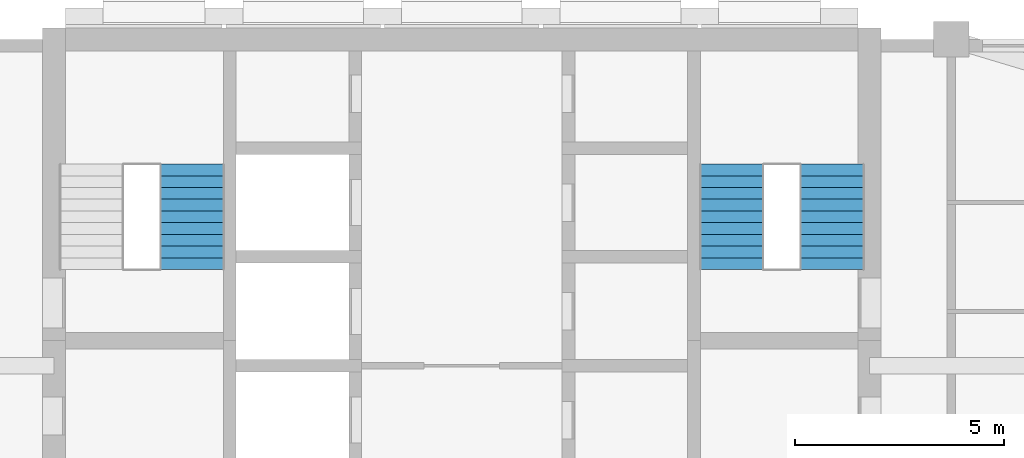
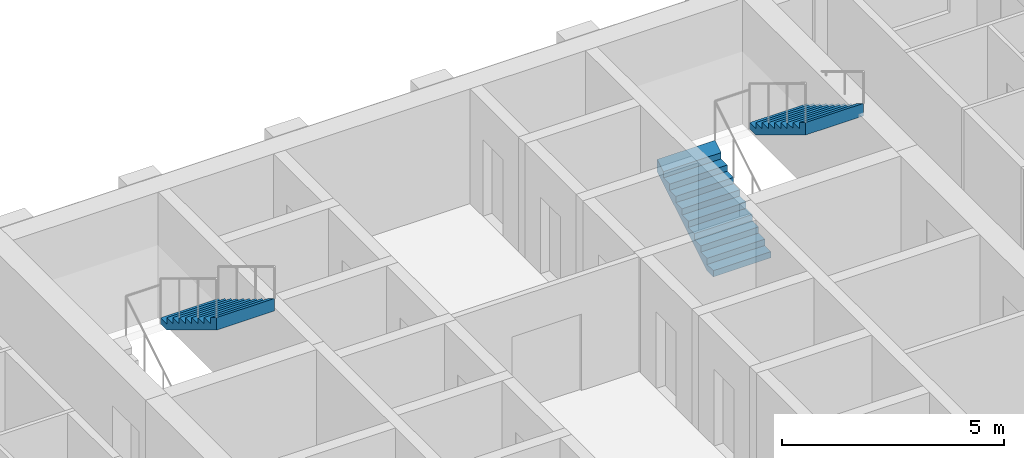
# One storey, part 11 of 13: 3 stair flights, 2 elements without a shape of their own.
"""IFC4 building model written with IfcOpenShell, lengths in metres."""

from ifc_helpers import new_model, si_unit, direction, frame, origin, place, context, subcontext, project, spatial, triangles, material, type_object, element, aggregate, save


model = new_model("IFC4")

# Units and contexts
model_context = context("Model", 3, precision=1e-05, world=origin(), true_north=direction((0.0, 1.0)))
body_context = subcontext(model_context, "Body", "Model", "MODEL_VIEW")
ifc_project = project(units=[si_unit("LENGTHUNIT", "METRE"), si_unit("AREAUNIT", "SQUARE_METRE"), si_unit("VOLUMEUNIT", "CUBIC_METRE"), si_unit("PLANEANGLEUNIT", "RADIAN"), si_unit("MASSUNIT", "GRAM", prefix="KILO")], contexts=[model_context])

# Site, building, storey
site_placement = place(None, origin())
site = spatial("IfcSite", under=ifc_project, at=site_placement, CompositionType="ELEMENT")
building_placement = place(site_placement, origin())
building = spatial("IfcBuilding", under=site, at=building_placement, Name="Ludao Terraces", CompositionType="ELEMENT")
storey_placement = place(building_placement, frame((0.0, 0.0, 123.699951171875)))
storey = spatial("IfcBuildingStorey", under=building, at=storey_placement, Name="L33", CompositionType="ELEMENT", Elevation=123.699951171875)

# Stair, stair flight
ifc_material = material(Name="Concrete C40", Category="concrete")
stair_type = type_object("IfcStairType", Name="INT Stair", PredefinedType="HALF_TURN_STAIR", material=ifc_material)
stair_1_placement = place(storey_placement, origin())
stair_1 = element("IfcStair", 1, at=stair_1_placement, inside=storey, type_object=stair_type, Name="EXIT STAIR 1", PredefinedType="HALF_TURN_STAIR")
stair_flight_type = type_object("IfcStairFlightType", Name="INT Stair flight", PredefinedType="STRAIGHT", material=ifc_material)
stair_flight_1_placement = place(storey_placement, frame((78.550048828125, 81.52001953125, 1.699951171875), z_axis=(0.0, 0.0, 1.0), x_axis=(0.0, -1.0, 0.0)))
stair_flight_1 = element("IfcStairFlight", 2, at=stair_flight_1_placement, type_object=stair_flight_type, Name="ST1 flight 2", NumberOfRisers=10, NumberOfTreads=9, PredefinedType="STRAIGHT", RiserHeight=0.17, TreadLength=0.28, context=body_context, shape_type="Tessellation", body=[
    triangles([(0.0, -0.75, 0.0), (0.0, -0.5, 0.0), (0.0, -0.25, 0.0), (0.0, 0.0, 0.0), (0.0, 0.25, 0.0), (0.0, 0.5, 0.0), (0.0, 0.75, 0.0), (0.0, -0.75, 0.169921875), (0.0, -0.5, 0.169921875), (0.0, -0.25, 0.169921875), (0.0, 0.0, 0.169921875), (0.0, 0.25, 0.169921875), (0.0, 0.5, 0.169921875), (0.0, 0.75, 0.169921875), (0.280029296875, -0.75, 0.169921875), (0.280029296875, -0.5, 0.169921875), (0.280029296875, -0.25, 0.169921875), (0.280029296875, 0.0, 0.169921875), (0.280029296875, 0.25, 0.169921875), (0.280029296875, 0.5, 0.169921875), (0.280029296875, 0.75, 0.169921875), (0.280029296875, -0.75, 0.340087890625), (0.280029296875, -0.5, 0.340087890625), (0.280029296875, -0.25, 0.340087890625), (0.280029296875, 0.0, 0.340087890625), (0.280029296875, 0.25, 0.340087890625), (0.280029296875, 0.5, 0.340087890625), (0.280029296875, 0.75, 0.340087890625), (0.56005859375, -0.75, 0.340087890625), (0.56005859375, -0.5, 0.340087890625), (0.56005859375, -0.25, 0.340087890625), (0.56005859375, 0.0, 0.340087890625), (0.56005859375, 0.25, 0.340087890625), (0.56005859375, 0.5, 0.340087890625), (0.56005859375, 0.75, 0.340087890625), (0.56005859375, -0.75, 0.510009765625), (0.56005859375, -0.5, 0.510009765625), (0.56005859375, -0.25, 0.510009765625), (0.56005859375, 0.0, 0.510009765625), (0.56005859375, 0.25, 0.510009765625), (0.56005859375, 0.5, 0.510009765625), (0.56005859375, 0.75, 0.510009765625), (0.840087890625, -0.75, 0.510009765625), (0.840087890625, -0.5, 0.510009765625), (0.840087890625, -0.25, 0.510009765625), (0.840087890625, 0.0, 0.510009765625), (0.840087890625, 0.25, 0.510009765625), (0.840087890625, 0.5, 0.510009765625), (0.840087890625, 0.75, 0.510009765625), (0.840087890625, -0.75, 0.679931640625), (0.840087890625, -0.5, 0.679931640625), (0.840087890625, -0.25, 0.679931640625), (0.840087890625, 0.0, 0.679931640625), (0.840087890625, 0.25, 0.679931640625), (0.840087890625, 0.5, 0.679931640625), (0.840087890625, 0.75, 0.679931640625), (1.1201171875, -0.75, 0.679931640625), (1.1201171875, -0.5, 0.679931640625), (1.1201171875, -0.25, 0.679931640625), (1.1201171875, 0.0, 0.679931640625), (1.1201171875, 0.25, 0.679931640625), (1.1201171875, 0.5, 0.679931640625), (1.1201171875, 0.75, 0.679931640625), (1.1201171875, -0.75, 0.85009765625), (1.1201171875, -0.5, 0.85009765625), (1.1201171875, -0.25, 0.85009765625), (1.1201171875, 0.0, 0.85009765625), (1.1201171875, 0.25, 0.85009765625), (1.1201171875, 0.5, 0.85009765625), (1.1201171875, 0.75, 0.85009765625), (1.39990234375, -0.75, 0.85009765625), (1.39990234375, -0.5, 0.85009765625), (1.39990234375, -0.25, 0.85009765625), (1.39990234375, 0.0, 0.85009765625), (1.39990234375, 0.25, 0.85009765625), (1.39990234375, 0.5, 0.85009765625), (1.39990234375, 0.75, 0.85009765625), (1.39990234375, -0.75, 1.02001953125), (1.39990234375, -0.5, 1.02001953125), (1.39990234375, -0.25, 1.02001953125), (1.39990234375, 0.0, 1.02001953125), (1.39990234375, 0.25, 1.02001953125), (1.39990234375, 0.5, 1.02001953125), (1.39990234375, 0.75, 1.02001953125), (1.679931640625, -0.75, 1.02001953125), (1.679931640625, -0.5, 1.02001953125), (1.679931640625, -0.25, 1.02001953125), (1.679931640625, 0.0, 1.02001953125), (1.679931640625, 0.25, 1.02001953125), (1.679931640625, 0.5, 1.02001953125), (1.679931640625, 0.75, 1.02001953125), (1.679931640625, -0.75, 1.18994140625), (1.679931640625, -0.5, 1.18994140625), (1.679931640625, -0.25, 1.18994140625), (1.679931640625, 0.0, 1.18994140625), (1.679931640625, 0.25, 1.18994140625), (1.679931640625, 0.5, 1.18994140625), (1.679931640625, 0.75, 1.18994140625), (1.9599609375, -0.75, 1.18994140625), (1.9599609375, -0.5, 1.18994140625), (1.9599609375, -0.25, 1.18994140625), (1.9599609375, 0.0, 1.18994140625), (1.9599609375, 0.25, 1.18994140625), (1.9599609375, 0.5, 1.18994140625), (1.9599609375, 0.75, 1.18994140625), (1.9599609375, -0.75, 1.360107421875), (1.9599609375, -0.5, 1.360107421875), (1.9599609375, -0.25, 1.360107421875), (1.9599609375, 0.0, 1.360107421875), (1.9599609375, 0.25, 1.360107421875), (1.9599609375, 0.5, 1.360107421875), (1.9599609375, 0.75, 1.360107421875), (2.239990234375, -0.75, 1.360107421875), (2.239990234375, -0.5, 1.360107421875), (2.239990234375, -0.25, 1.360107421875), (2.239990234375, 0.0, 1.360107421875), (2.239990234375, 0.25, 1.360107421875), (2.239990234375, 0.5, 1.360107421875), (2.239990234375, 0.75, 1.360107421875), (2.239990234375, -0.75, 1.530029296875), (2.239990234375, -0.5, 1.530029296875), (2.239990234375, -0.25, 1.530029296875), (2.239990234375, 0.0, 1.530029296875), (2.239990234375, 0.25, 1.530029296875), (2.239990234375, 0.5, 1.530029296875), (2.239990234375, 0.75, 1.530029296875), (2.52001953125, -0.75, 1.699951171875), (2.52001953125, -0.5, 1.699951171875), (2.52001953125, -0.25, 1.699951171875), (2.52001953125, 0.0, 1.699951171875), (2.52001953125, 0.25, 1.699951171875), (2.52001953125, 0.5, 1.699951171875), (2.52001953125, 0.75, 1.699951171875), (2.52001953125, -0.75, 1.354736328125), (2.52001953125, -0.5, 1.354736328125), (2.52001953125, -0.25, 1.354736328125), (2.52001953125, 0.0, 1.354736328125), (2.52001953125, 0.25, 1.354736328125), (2.52001953125, 0.5, 1.354736328125), (2.52001953125, 0.75, 1.354736328125), (0.288818359375, -0.75, 0.0), (0.288818359375, -0.5, 0.0), (0.288818359375, -0.25, 0.0), (0.288818359375, 0.0, 0.0), (0.288818359375, 0.25, 0.0), (0.288818359375, 0.5, 0.0), (0.288818359375, 0.75, 0.0)], [[1, 141, 134], [7, 140, 147], [134, 127, 120], [140, 126, 133], [134, 120, 113], [140, 119, 126], [134, 113, 106], [140, 112, 119], [134, 106, 99], [140, 105, 112], [99, 92, 85], [105, 91, 98], [134, 99, 85], [140, 91, 105], [85, 78, 71], [91, 77, 84], [134, 85, 71], [140, 77, 91], [71, 64, 57], [77, 63, 70], [134, 71, 57], [140, 63, 77], [57, 50, 43], [63, 49, 56], [134, 57, 43], [140, 49, 63], [43, 36, 29], [49, 35, 42], [134, 43, 29], [140, 35, 49], [29, 22, 15], [35, 21, 28], [134, 29, 15], [140, 21, 35], [1, 134, 15], [7, 21, 140], [15, 8, 1], [21, 7, 14], [1, 9, 2], [1, 8, 9], [2, 10, 3], [2, 9, 10], [3, 11, 4], [3, 10, 11], [4, 12, 5], [4, 11, 12], [5, 13, 6], [5, 12, 13], [6, 14, 7], [6, 13, 14], [8, 16, 9], [8, 15, 16], [9, 17, 10], [9, 16, 17], [10, 18, 11], [10, 17, 18], [11, 19, 12], [11, 18, 19], [12, 20, 13], [12, 19, 20], [13, 21, 14], [13, 20, 21], [15, 23, 16], [15, 22, 23], [16, 24, 17], [16, 23, 24], [17, 25, 18], [17, 24, 25], [18, 26, 19], [18, 25, 26], [19, 27, 20], [19, 26, 27], [20, 28, 21], [20, 27, 28], [22, 30, 23], [22, 29, 30], [23, 31, 24], [23, 30, 31], [24, 32, 25], [24, 31, 32], [25, 33, 26], [25, 32, 33], [26, 34, 27], [26, 33, 34], [27, 35, 28], [27, 34, 35], [29, 37, 30], [29, 36, 37], [30, 38, 31], [30, 37, 38], [31, 39, 32], [31, 38, 39], [32, 40, 33], [32, 39, 40], [33, 41, 34], [33, 40, 41], [34, 42, 35], [34, 41, 42], [36, 44, 37], [36, 43, 44], [37, 45, 38], [37, 44, 45], [38, 46, 39], [38, 45, 46], [39, 47, 40], [39, 46, 47], [40, 48, 41], [40, 47, 48], [41, 49, 42], [41, 48, 49], [43, 51, 44], [43, 50, 51], [44, 52, 45], [44, 51, 52], [45, 53, 46], [45, 52, 53], [46, 54, 47], [46, 53, 54], [47, 55, 48], [47, 54, 55], [48, 56, 49], [48, 55, 56], [50, 58, 51], [50, 57, 58], [51, 59, 52], [51, 58, 59], [52, 60, 53], [52, 59, 60], [53, 61, 54], [53, 60, 61], [54, 62, 55], [54, 61, 62], [55, 63, 56], [55, 62, 63], [57, 65, 58], [57, 64, 65], [58, 66, 59], [58, 65, 66], [59, 67, 60], [59, 66, 67], [60, 68, 61], [60, 67, 68], [61, 69, 62], [61, 68, 69], [62, 70, 63], [62, 69, 70], [64, 72, 65], [64, 71, 72], [65, 73, 66], [65, 72, 73], [66, 74, 67], [66, 73, 74], [67, 75, 68], [67, 74, 75], [68, 76, 69], [68, 75, 76], [69, 77, 70], [69, 76, 77], [71, 79, 72], [71, 78, 79], [72, 80, 73], [72, 79, 80], [73, 81, 74], [73, 80, 81], [74, 82, 75], [74, 81, 82], [75, 83, 76], [75, 82, 83], [76, 84, 77], [76, 83, 84], [78, 86, 79], [78, 85, 86], [79, 87, 80], [79, 86, 87], [80, 88, 81], [80, 87, 88], [81, 89, 82], [81, 88, 89], [82, 90, 83], [82, 89, 90], [83, 91, 84], [83, 90, 91], [85, 93, 86], [85, 92, 93], [86, 94, 87], [86, 93, 94], [87, 95, 88], [87, 94, 95], [88, 96, 89], [88, 95, 96], [89, 97, 90], [89, 96, 97], [90, 98, 91], [90, 97, 98], [92, 100, 93], [92, 99, 100], [93, 101, 94], [93, 100, 101], [94, 102, 95], [94, 101, 102], [95, 103, 96], [95, 102, 103], [96, 104, 97], [96, 103, 104], [97, 105, 98], [97, 104, 105], [99, 107, 100], [99, 106, 107], [100, 108, 101], [100, 107, 108], [101, 109, 102], [101, 108, 109], [102, 110, 103], [102, 109, 110], [103, 111, 104], [103, 110, 111], [104, 112, 105], [104, 111, 112], [106, 114, 107], [106, 113, 114], [107, 115, 108], [107, 114, 115], [108, 116, 109], [108, 115, 116], [109, 117, 110], [109, 116, 117], [110, 118, 111], [110, 117, 118], [111, 119, 112], [111, 118, 119], [113, 121, 114], [113, 120, 121], [114, 122, 115], [114, 121, 122], [115, 123, 116], [115, 122, 123], [116, 124, 117], [116, 123, 124], [117, 125, 118], [117, 124, 125], [118, 126, 119], [118, 125, 126], [120, 128, 121], [120, 127, 128], [121, 129, 122], [121, 128, 129], [122, 130, 123], [122, 129, 130], [123, 131, 124], [123, 130, 131], [124, 132, 125], [124, 131, 132], [125, 133, 126], [125, 132, 133], [127, 135, 128], [127, 134, 135], [128, 136, 129], [128, 135, 136], [129, 137, 130], [129, 136, 137], [130, 138, 131], [130, 137, 138], [131, 139, 132], [131, 138, 139], [132, 140, 133], [132, 139, 140], [134, 142, 135], [134, 141, 142], [135, 143, 136], [135, 142, 143], [136, 144, 137], [136, 143, 144], [137, 145, 138], [137, 144, 145], [138, 146, 139], [138, 145, 146], [139, 147, 140], [139, 146, 147], [141, 2, 142], [141, 1, 2], [142, 3, 143], [142, 2, 3], [143, 4, 144], [143, 3, 4], [144, 5, 145], [144, 4, 5], [145, 6, 146], [145, 5, 6], [146, 7, 147], [146, 6, 7]], closed=True),
])
aggregate(stair_1, [stair_flight_1])

# Stair, stair flights
stair_2_placement = place(storey_placement, origin())
stair_2 = element("IfcStair", 3, at=stair_2_placement, inside=storey, type_object=stair_type, Name="EXIT STAIR 2", PredefinedType="HALF_TURN_STAIR")
stair_flight_2_placement = place(storey_placement, frame((91.449951171875, 79.0, 0.0), z_axis=(0.0, 0.0, 1.0), x_axis=(0.0, 1.0, 0.0)))
stair_flight_2 = element("IfcStairFlight", 4, at=stair_flight_2_placement, type_object=stair_flight_type, Name="ST2 flight 1", NumberOfRisers=10, NumberOfTreads=9, PredefinedType="STRAIGHT", RiserHeight=0.17, TreadLength=0.28, context=body_context, shape_type="Tessellation", body=[
    triangles([(0.0, -0.75, 0.0), (0.0, -0.5, 0.0), (0.0, -0.25, 0.0), (0.0, 0.0, 0.0), (0.0, 0.25, 0.0), (0.0, 0.5, 0.0), (0.0, 0.75, 0.0), (0.0, -0.75, 0.169921875), (0.0, -0.5, 0.169921875), (0.0, -0.25, 0.169921875), (0.0, 0.0, 0.169921875), (0.0, 0.25, 0.169921875), (0.0, 0.5, 0.169921875), (0.0, 0.75, 0.169921875), (0.280029296875, -0.75, 0.169921875), (0.280029296875, -0.5, 0.169921875), (0.280029296875, -0.25, 0.169921875), (0.280029296875, 0.0, 0.169921875), (0.280029296875, 0.25, 0.169921875), (0.280029296875, 0.5, 0.169921875), (0.280029296875, 0.75, 0.169921875), (0.280029296875, -0.75, 0.340087890625), (0.280029296875, -0.5, 0.340087890625), (0.280029296875, -0.25, 0.340087890625), (0.280029296875, 0.0, 0.340087890625), (0.280029296875, 0.25, 0.340087890625), (0.280029296875, 0.5, 0.340087890625), (0.280029296875, 0.75, 0.340087890625), (0.56005859375, -0.75, 0.340087890625), (0.56005859375, -0.5, 0.340087890625), (0.56005859375, -0.25, 0.340087890625), (0.56005859375, 0.0, 0.340087890625), (0.56005859375, 0.25, 0.340087890625), (0.56005859375, 0.5, 0.340087890625), (0.56005859375, 0.75, 0.340087890625), (0.56005859375, -0.75, 0.510009765625), (0.56005859375, -0.5, 0.510009765625), (0.56005859375, -0.25, 0.510009765625), (0.56005859375, 0.0, 0.510009765625), (0.56005859375, 0.25, 0.510009765625), (0.56005859375, 0.5, 0.510009765625), (0.56005859375, 0.75, 0.510009765625), (0.840087890625, -0.75, 0.510009765625), (0.840087890625, -0.5, 0.510009765625), (0.840087890625, -0.25, 0.510009765625), (0.840087890625, 0.0, 0.510009765625), (0.840087890625, 0.25, 0.510009765625), (0.840087890625, 0.5, 0.510009765625), (0.840087890625, 0.75, 0.510009765625), (0.840087890625, -0.75, 0.679931640625), (0.840087890625, -0.5, 0.679931640625), (0.840087890625, -0.25, 0.679931640625), (0.840087890625, 0.0, 0.679931640625), (0.840087890625, 0.25, 0.679931640625), (0.840087890625, 0.5, 0.679931640625), (0.840087890625, 0.75, 0.679931640625), (1.1201171875, -0.75, 0.679931640625), (1.1201171875, -0.5, 0.679931640625), (1.1201171875, -0.25, 0.679931640625), (1.1201171875, 0.0, 0.679931640625), (1.1201171875, 0.25, 0.679931640625), (1.1201171875, 0.5, 0.679931640625), (1.1201171875, 0.75, 0.679931640625), (1.1201171875, -0.75, 0.85009765625), (1.1201171875, -0.5, 0.85009765625), (1.1201171875, -0.25, 0.85009765625), (1.1201171875, 0.0, 0.85009765625), (1.1201171875, 0.25, 0.85009765625), (1.1201171875, 0.5, 0.85009765625), (1.1201171875, 0.75, 0.85009765625), (1.39990234375, -0.75, 0.85009765625), (1.39990234375, -0.5, 0.85009765625), (1.39990234375, -0.25, 0.85009765625), (1.39990234375, 0.0, 0.85009765625), (1.39990234375, 0.25, 0.85009765625), (1.39990234375, 0.5, 0.85009765625), (1.39990234375, 0.75, 0.85009765625), (1.39990234375, -0.75, 1.02001953125), (1.39990234375, -0.5, 1.02001953125), (1.39990234375, -0.25, 1.02001953125), (1.39990234375, 0.0, 1.02001953125), (1.39990234375, 0.25, 1.02001953125), (1.39990234375, 0.5, 1.02001953125), (1.39990234375, 0.75, 1.02001953125), (1.679931640625, -0.75, 1.02001953125), (1.679931640625, -0.5, 1.02001953125), (1.679931640625, -0.25, 1.02001953125), (1.679931640625, 0.0, 1.02001953125), (1.679931640625, 0.25, 1.02001953125), (1.679931640625, 0.5, 1.02001953125), (1.679931640625, 0.75, 1.02001953125), (1.679931640625, -0.75, 1.18994140625), (1.679931640625, -0.5, 1.18994140625), (1.679931640625, -0.25, 1.18994140625), (1.679931640625, 0.0, 1.18994140625), (1.679931640625, 0.25, 1.18994140625), (1.679931640625, 0.5, 1.18994140625), (1.679931640625, 0.75, 1.18994140625), (1.9599609375, -0.75, 1.18994140625), (1.9599609375, -0.5, 1.18994140625), (1.9599609375, -0.25, 1.18994140625), (1.9599609375, 0.0, 1.18994140625), (1.9599609375, 0.25, 1.18994140625), (1.9599609375, 0.5, 1.18994140625), (1.9599609375, 0.75, 1.18994140625), (1.9599609375, -0.75, 1.360107421875), (1.9599609375, -0.5, 1.360107421875), (1.9599609375, -0.25, 1.360107421875), (1.9599609375, 0.0, 1.360107421875), (1.9599609375, 0.25, 1.360107421875), (1.9599609375, 0.5, 1.360107421875), (1.9599609375, 0.75, 1.360107421875), (2.239990234375, -0.75, 1.360107421875), (2.239990234375, -0.5, 1.360107421875), (2.239990234375, -0.25, 1.360107421875), (2.239990234375, 0.0, 1.360107421875), (2.239990234375, 0.25, 1.360107421875), (2.239990234375, 0.5, 1.360107421875), (2.239990234375, 0.75, 1.360107421875), (2.239990234375, -0.75, 1.530029296875), (2.239990234375, -0.5, 1.530029296875), (2.239990234375, -0.25, 1.530029296875), (2.239990234375, 0.0, 1.530029296875), (2.239990234375, 0.25, 1.530029296875), (2.239990234375, 0.5, 1.530029296875), (2.239990234375, 0.75, 1.530029296875), (2.52001953125, -0.75, 1.699951171875), (2.52001953125, -0.5, 1.699951171875), (2.52001953125, -0.25, 1.699951171875), (2.52001953125, 0.0, 1.699951171875), (2.52001953125, 0.25, 1.699951171875), (2.52001953125, 0.5, 1.699951171875), (2.52001953125, 0.75, 1.699951171875), (2.52001953125, -0.75, 1.354736328125), (2.52001953125, -0.5, 1.354736328125), (2.52001953125, -0.25, 1.354736328125), (2.52001953125, 0.0, 1.354736328125), (2.52001953125, 0.25, 1.354736328125), (2.52001953125, 0.5, 1.354736328125), (2.52001953125, 0.75, 1.354736328125), (0.288818359375, -0.75, 0.0), (0.288818359375, -0.5, 0.0), (0.288818359375, -0.25, 0.0), (0.288818359375, 0.0, 0.0), (0.288818359375, 0.25, 0.0), (0.288818359375, 0.5, 0.0), (0.288818359375, 0.75, 0.0)], [[1, 141, 134], [7, 140, 147], [134, 127, 120], [140, 126, 133], [134, 120, 113], [140, 119, 126], [134, 113, 106], [140, 112, 119], [134, 106, 99], [140, 105, 112], [99, 92, 85], [105, 91, 98], [134, 99, 85], [140, 91, 105], [85, 78, 71], [91, 77, 84], [134, 85, 71], [140, 77, 91], [71, 64, 57], [77, 63, 70], [134, 71, 57], [140, 63, 77], [57, 50, 43], [63, 49, 56], [134, 57, 43], [140, 49, 63], [43, 36, 29], [49, 35, 42], [134, 43, 29], [140, 35, 49], [29, 22, 15], [35, 21, 28], [134, 29, 15], [140, 21, 35], [1, 134, 15], [7, 21, 140], [15, 8, 1], [21, 7, 14], [1, 9, 2], [1, 8, 9], [2, 10, 3], [2, 9, 10], [3, 11, 4], [3, 10, 11], [4, 12, 5], [4, 11, 12], [5, 13, 6], [5, 12, 13], [6, 14, 7], [6, 13, 14], [8, 16, 9], [8, 15, 16], [9, 17, 10], [9, 16, 17], [10, 18, 11], [10, 17, 18], [11, 19, 12], [11, 18, 19], [12, 20, 13], [12, 19, 20], [13, 21, 14], [13, 20, 21], [15, 23, 16], [15, 22, 23], [16, 24, 17], [16, 23, 24], [17, 25, 18], [17, 24, 25], [18, 26, 19], [18, 25, 26], [19, 27, 20], [19, 26, 27], [20, 28, 21], [20, 27, 28], [22, 30, 23], [22, 29, 30], [23, 31, 24], [23, 30, 31], [24, 32, 25], [24, 31, 32], [25, 33, 26], [25, 32, 33], [26, 34, 27], [26, 33, 34], [27, 35, 28], [27, 34, 35], [29, 37, 30], [29, 36, 37], [30, 38, 31], [30, 37, 38], [31, 39, 32], [31, 38, 39], [32, 40, 33], [32, 39, 40], [33, 41, 34], [33, 40, 41], [34, 42, 35], [34, 41, 42], [36, 44, 37], [36, 43, 44], [37, 45, 38], [37, 44, 45], [38, 46, 39], [38, 45, 46], [39, 47, 40], [39, 46, 47], [40, 48, 41], [40, 47, 48], [41, 49, 42], [41, 48, 49], [43, 51, 44], [43, 50, 51], [44, 52, 45], [44, 51, 52], [45, 53, 46], [45, 52, 53], [46, 54, 47], [46, 53, 54], [47, 55, 48], [47, 54, 55], [48, 56, 49], [48, 55, 56], [50, 58, 51], [50, 57, 58], [51, 59, 52], [51, 58, 59], [52, 60, 53], [52, 59, 60], [53, 61, 54], [53, 60, 61], [54, 62, 55], [54, 61, 62], [55, 63, 56], [55, 62, 63], [57, 65, 58], [57, 64, 65], [58, 66, 59], [58, 65, 66], [59, 67, 60], [59, 66, 67], [60, 68, 61], [60, 67, 68], [61, 69, 62], [61, 68, 69], [62, 70, 63], [62, 69, 70], [64, 72, 65], [64, 71, 72], [65, 73, 66], [65, 72, 73], [66, 74, 67], [66, 73, 74], [67, 75, 68], [67, 74, 75], [68, 76, 69], [68, 75, 76], [69, 77, 70], [69, 76, 77], [71, 79, 72], [71, 78, 79], [72, 80, 73], [72, 79, 80], [73, 81, 74], [73, 80, 81], [74, 82, 75], [74, 81, 82], [75, 83, 76], [75, 82, 83], [76, 84, 77], [76, 83, 84], [78, 86, 79], [78, 85, 86], [79, 87, 80], [79, 86, 87], [80, 88, 81], [80, 87, 88], [81, 89, 82], [81, 88, 89], [82, 90, 83], [82, 89, 90], [83, 91, 84], [83, 90, 91], [85, 93, 86], [85, 92, 93], [86, 94, 87], [86, 93, 94], [87, 95, 88], [87, 94, 95], [88, 96, 89], [88, 95, 96], [89, 97, 90], [89, 96, 97], [90, 98, 91], [90, 97, 98], [92, 100, 93], [92, 99, 100], [93, 101, 94], [93, 100, 101], [94, 102, 95], [94, 101, 102], [95, 103, 96], [95, 102, 103], [96, 104, 97], [96, 103, 104], [97, 105, 98], [97, 104, 105], [99, 107, 100], [99, 106, 107], [100, 108, 101], [100, 107, 108], [101, 109, 102], [101, 108, 109], [102, 110, 103], [102, 109, 110], [103, 111, 104], [103, 110, 111], [104, 112, 105], [104, 111, 112], [106, 114, 107], [106, 113, 114], [107, 115, 108], [107, 114, 115], [108, 116, 109], [108, 115, 116], [109, 117, 110], [109, 116, 117], [110, 118, 111], [110, 117, 118], [111, 119, 112], [111, 118, 119], [113, 121, 114], [113, 120, 121], [114, 122, 115], [114, 121, 122], [115, 123, 116], [115, 122, 123], [116, 124, 117], [116, 123, 124], [117, 125, 118], [117, 124, 125], [118, 126, 119], [118, 125, 126], [120, 128, 121], [120, 127, 128], [121, 129, 122], [121, 128, 129], [122, 130, 123], [122, 129, 130], [123, 131, 124], [123, 130, 131], [124, 132, 125], [124, 131, 132], [125, 133, 126], [125, 132, 133], [127, 135, 128], [127, 134, 135], [128, 136, 129], [128, 135, 136], [129, 137, 130], [129, 136, 137], [130, 138, 131], [130, 137, 138], [131, 139, 132], [131, 138, 139], [132, 140, 133], [132, 139, 140], [134, 142, 135], [134, 141, 142], [135, 143, 136], [135, 142, 143], [136, 144, 137], [136, 143, 144], [137, 145, 138], [137, 144, 145], [138, 146, 139], [138, 145, 146], [139, 147, 140], [139, 146, 147], [141, 2, 142], [141, 1, 2], [142, 3, 143], [142, 2, 3], [143, 4, 144], [143, 3, 4], [144, 5, 145], [144, 4, 5], [145, 6, 146], [145, 5, 6], [146, 7, 147], [146, 6, 7]], closed=True),
])
stair_flight_3_placement = place(storey_placement, frame((93.85009765625, 81.52001953125, 1.699951171875), z_axis=(0.0, 0.0, 1.0), x_axis=(0.0, -1.0, 0.0)))
stair_flight_3 = element("IfcStairFlight", 5, at=stair_flight_3_placement, type_object=stair_flight_type, Name="ST2 flight 2", NumberOfRisers=10, NumberOfTreads=9, PredefinedType="STRAIGHT", RiserHeight=0.17, TreadLength=0.28, context=body_context, shape_type="Tessellation", body=[
    triangles([(0.0, -0.75, 0.0), (0.0, -0.5, 0.0), (0.0, -0.25, 0.0), (0.0, 0.0, 0.0), (0.0, 0.25, 0.0), (0.0, 0.5, 0.0), (0.0, 0.75, 0.0), (0.0, -0.75, 0.169921875), (0.0, -0.5, 0.169921875), (0.0, -0.25, 0.169921875), (0.0, 0.0, 0.169921875), (0.0, 0.25, 0.169921875), (0.0, 0.5, 0.169921875), (0.0, 0.75, 0.169921875), (0.280029296875, -0.75, 0.169921875), (0.280029296875, -0.5, 0.169921875), (0.280029296875, -0.25, 0.169921875), (0.280029296875, 0.0, 0.169921875), (0.280029296875, 0.25, 0.169921875), (0.280029296875, 0.5, 0.169921875), (0.280029296875, 0.75, 0.169921875), (0.280029296875, -0.75, 0.340087890625), (0.280029296875, -0.5, 0.340087890625), (0.280029296875, -0.25, 0.340087890625), (0.280029296875, 0.0, 0.340087890625), (0.280029296875, 0.25, 0.340087890625), (0.280029296875, 0.5, 0.340087890625), (0.280029296875, 0.75, 0.340087890625), (0.56005859375, -0.75, 0.340087890625), (0.56005859375, -0.5, 0.340087890625), (0.56005859375, -0.25, 0.340087890625), (0.56005859375, 0.0, 0.340087890625), (0.56005859375, 0.25, 0.340087890625), (0.56005859375, 0.5, 0.340087890625), (0.56005859375, 0.75, 0.340087890625), (0.56005859375, -0.75, 0.510009765625), (0.56005859375, -0.5, 0.510009765625), (0.56005859375, -0.25, 0.510009765625), (0.56005859375, 0.0, 0.510009765625), (0.56005859375, 0.25, 0.510009765625), (0.56005859375, 0.5, 0.510009765625), (0.56005859375, 0.75, 0.510009765625), (0.840087890625, -0.75, 0.510009765625), (0.840087890625, -0.5, 0.510009765625), (0.840087890625, -0.25, 0.510009765625), (0.840087890625, 0.0, 0.510009765625), (0.840087890625, 0.25, 0.510009765625), (0.840087890625, 0.5, 0.510009765625), (0.840087890625, 0.75, 0.510009765625), (0.840087890625, -0.75, 0.679931640625), (0.840087890625, -0.5, 0.679931640625), (0.840087890625, -0.25, 0.679931640625), (0.840087890625, 0.0, 0.679931640625), (0.840087890625, 0.25, 0.679931640625), (0.840087890625, 0.5, 0.679931640625), (0.840087890625, 0.75, 0.679931640625), (1.1201171875, -0.75, 0.679931640625), (1.1201171875, -0.5, 0.679931640625), (1.1201171875, -0.25, 0.679931640625), (1.1201171875, 0.0, 0.679931640625), (1.1201171875, 0.25, 0.679931640625), (1.1201171875, 0.5, 0.679931640625), (1.1201171875, 0.75, 0.679931640625), (1.1201171875, -0.75, 0.85009765625), (1.1201171875, -0.5, 0.85009765625), (1.1201171875, -0.25, 0.85009765625), (1.1201171875, 0.0, 0.85009765625), (1.1201171875, 0.25, 0.85009765625), (1.1201171875, 0.5, 0.85009765625), (1.1201171875, 0.75, 0.85009765625), (1.39990234375, -0.75, 0.85009765625), (1.39990234375, -0.5, 0.85009765625), (1.39990234375, -0.25, 0.85009765625), (1.39990234375, 0.0, 0.85009765625), (1.39990234375, 0.25, 0.85009765625), (1.39990234375, 0.5, 0.85009765625), (1.39990234375, 0.75, 0.85009765625), (1.39990234375, -0.75, 1.02001953125), (1.39990234375, -0.5, 1.02001953125), (1.39990234375, -0.25, 1.02001953125), (1.39990234375, 0.0, 1.02001953125), (1.39990234375, 0.25, 1.02001953125), (1.39990234375, 0.5, 1.02001953125), (1.39990234375, 0.75, 1.02001953125), (1.679931640625, -0.75, 1.02001953125), (1.679931640625, -0.5, 1.02001953125), (1.679931640625, -0.25, 1.02001953125), (1.679931640625, 0.0, 1.02001953125), (1.679931640625, 0.25, 1.02001953125), (1.679931640625, 0.5, 1.02001953125), (1.679931640625, 0.75, 1.02001953125), (1.679931640625, -0.75, 1.18994140625), (1.679931640625, -0.5, 1.18994140625), (1.679931640625, -0.25, 1.18994140625), (1.679931640625, 0.0, 1.18994140625), (1.679931640625, 0.25, 1.18994140625), (1.679931640625, 0.5, 1.18994140625), (1.679931640625, 0.75, 1.18994140625), (1.9599609375, -0.75, 1.18994140625), (1.9599609375, -0.5, 1.18994140625), (1.9599609375, -0.25, 1.18994140625), (1.9599609375, 0.0, 1.18994140625), (1.9599609375, 0.25, 1.18994140625), (1.9599609375, 0.5, 1.18994140625), (1.9599609375, 0.75, 1.18994140625), (1.9599609375, -0.75, 1.360107421875), (1.9599609375, -0.5, 1.360107421875), (1.9599609375, -0.25, 1.360107421875), (1.9599609375, 0.0, 1.360107421875), (1.9599609375, 0.25, 1.360107421875), (1.9599609375, 0.5, 1.360107421875), (1.9599609375, 0.75, 1.360107421875), (2.239990234375, -0.75, 1.360107421875), (2.239990234375, -0.5, 1.360107421875), (2.239990234375, -0.25, 1.360107421875), (2.239990234375, 0.0, 1.360107421875), (2.239990234375, 0.25, 1.360107421875), (2.239990234375, 0.5, 1.360107421875), (2.239990234375, 0.75, 1.360107421875), (2.239990234375, -0.75, 1.530029296875), (2.239990234375, -0.5, 1.530029296875), (2.239990234375, -0.25, 1.530029296875), (2.239990234375, 0.0, 1.530029296875), (2.239990234375, 0.25, 1.530029296875), (2.239990234375, 0.5, 1.530029296875), (2.239990234375, 0.75, 1.530029296875), (2.52001953125, -0.75, 1.699951171875), (2.52001953125, -0.5, 1.699951171875), (2.52001953125, -0.25, 1.699951171875), (2.52001953125, 0.0, 1.699951171875), (2.52001953125, 0.25, 1.699951171875), (2.52001953125, 0.5, 1.699951171875), (2.52001953125, 0.75, 1.699951171875), (2.52001953125, -0.75, 1.354736328125), (2.52001953125, -0.5, 1.354736328125), (2.52001953125, -0.25, 1.354736328125), (2.52001953125, 0.0, 1.354736328125), (2.52001953125, 0.25, 1.354736328125), (2.52001953125, 0.5, 1.354736328125), (2.52001953125, 0.75, 1.354736328125), (0.288818359375, -0.75, 0.0), (0.288818359375, -0.5, 0.0), (0.288818359375, -0.25, 0.0), (0.288818359375, 0.0, 0.0), (0.288818359375, 0.25, 0.0), (0.288818359375, 0.5, 0.0), (0.288818359375, 0.75, 0.0)], [[1, 141, 134], [7, 140, 147], [134, 127, 120], [140, 126, 133], [134, 120, 113], [140, 119, 126], [134, 113, 106], [140, 112, 119], [134, 106, 99], [140, 105, 112], [99, 92, 85], [105, 91, 98], [134, 99, 85], [140, 91, 105], [85, 78, 71], [91, 77, 84], [134, 85, 71], [140, 77, 91], [71, 64, 57], [77, 63, 70], [134, 71, 57], [140, 63, 77], [57, 50, 43], [63, 49, 56], [134, 57, 43], [140, 49, 63], [43, 36, 29], [49, 35, 42], [134, 43, 29], [140, 35, 49], [29, 22, 15], [35, 21, 28], [134, 29, 15], [140, 21, 35], [1, 134, 15], [7, 21, 140], [15, 8, 1], [21, 7, 14], [1, 9, 2], [1, 8, 9], [2, 10, 3], [2, 9, 10], [3, 11, 4], [3, 10, 11], [4, 12, 5], [4, 11, 12], [5, 13, 6], [5, 12, 13], [6, 14, 7], [6, 13, 14], [8, 16, 9], [8, 15, 16], [9, 17, 10], [9, 16, 17], [10, 18, 11], [10, 17, 18], [11, 19, 12], [11, 18, 19], [12, 20, 13], [12, 19, 20], [13, 21, 14], [13, 20, 21], [15, 23, 16], [15, 22, 23], [16, 24, 17], [16, 23, 24], [17, 25, 18], [17, 24, 25], [18, 26, 19], [18, 25, 26], [19, 27, 20], [19, 26, 27], [20, 28, 21], [20, 27, 28], [22, 30, 23], [22, 29, 30], [23, 31, 24], [23, 30, 31], [24, 32, 25], [24, 31, 32], [25, 33, 26], [25, 32, 33], [26, 34, 27], [26, 33, 34], [27, 35, 28], [27, 34, 35], [29, 37, 30], [29, 36, 37], [30, 38, 31], [30, 37, 38], [31, 39, 32], [31, 38, 39], [32, 40, 33], [32, 39, 40], [33, 41, 34], [33, 40, 41], [34, 42, 35], [34, 41, 42], [36, 44, 37], [36, 43, 44], [37, 45, 38], [37, 44, 45], [38, 46, 39], [38, 45, 46], [39, 47, 40], [39, 46, 47], [40, 48, 41], [40, 47, 48], [41, 49, 42], [41, 48, 49], [43, 51, 44], [43, 50, 51], [44, 52, 45], [44, 51, 52], [45, 53, 46], [45, 52, 53], [46, 54, 47], [46, 53, 54], [47, 55, 48], [47, 54, 55], [48, 56, 49], [48, 55, 56], [50, 58, 51], [50, 57, 58], [51, 59, 52], [51, 58, 59], [52, 60, 53], [52, 59, 60], [53, 61, 54], [53, 60, 61], [54, 62, 55], [54, 61, 62], [55, 63, 56], [55, 62, 63], [57, 65, 58], [57, 64, 65], [58, 66, 59], [58, 65, 66], [59, 67, 60], [59, 66, 67], [60, 68, 61], [60, 67, 68], [61, 69, 62], [61, 68, 69], [62, 70, 63], [62, 69, 70], [64, 72, 65], [64, 71, 72], [65, 73, 66], [65, 72, 73], [66, 74, 67], [66, 73, 74], [67, 75, 68], [67, 74, 75], [68, 76, 69], [68, 75, 76], [69, 77, 70], [69, 76, 77], [71, 79, 72], [71, 78, 79], [72, 80, 73], [72, 79, 80], [73, 81, 74], [73, 80, 81], [74, 82, 75], [74, 81, 82], [75, 83, 76], [75, 82, 83], [76, 84, 77], [76, 83, 84], [78, 86, 79], [78, 85, 86], [79, 87, 80], [79, 86, 87], [80, 88, 81], [80, 87, 88], [81, 89, 82], [81, 88, 89], [82, 90, 83], [82, 89, 90], [83, 91, 84], [83, 90, 91], [85, 93, 86], [85, 92, 93], [86, 94, 87], [86, 93, 94], [87, 95, 88], [87, 94, 95], [88, 96, 89], [88, 95, 96], [89, 97, 90], [89, 96, 97], [90, 98, 91], [90, 97, 98], [92, 100, 93], [92, 99, 100], [93, 101, 94], [93, 100, 101], [94, 102, 95], [94, 101, 102], [95, 103, 96], [95, 102, 103], [96, 104, 97], [96, 103, 104], [97, 105, 98], [97, 104, 105], [99, 107, 100], [99, 106, 107], [100, 108, 101], [100, 107, 108], [101, 109, 102], [101, 108, 109], [102, 110, 103], [102, 109, 110], [103, 111, 104], [103, 110, 111], [104, 112, 105], [104, 111, 112], [106, 114, 107], [106, 113, 114], [107, 115, 108], [107, 114, 115], [108, 116, 109], [108, 115, 116], [109, 117, 110], [109, 116, 117], [110, 118, 111], [110, 117, 118], [111, 119, 112], [111, 118, 119], [113, 121, 114], [113, 120, 121], [114, 122, 115], [114, 121, 122], [115, 123, 116], [115, 122, 123], [116, 124, 117], [116, 123, 124], [117, 125, 118], [117, 124, 125], [118, 126, 119], [118, 125, 126], [120, 128, 121], [120, 127, 128], [121, 129, 122], [121, 128, 129], [122, 130, 123], [122, 129, 130], [123, 131, 124], [123, 130, 131], [124, 132, 125], [124, 131, 132], [125, 133, 126], [125, 132, 133], [127, 135, 128], [127, 134, 135], [128, 136, 129], [128, 135, 136], [129, 137, 130], [129, 136, 137], [130, 138, 131], [130, 137, 138], [131, 139, 132], [131, 138, 139], [132, 140, 133], [132, 139, 140], [134, 142, 135], [134, 141, 142], [135, 143, 136], [135, 142, 143], [136, 144, 137], [136, 143, 144], [137, 145, 138], [137, 144, 145], [138, 146, 139], [138, 145, 146], [139, 147, 140], [139, 146, 147], [141, 2, 142], [141, 1, 2], [142, 3, 143], [142, 2, 3], [143, 4, 144], [143, 3, 4], [144, 5, 145], [144, 4, 5], [145, 6, 146], [145, 5, 6], [146, 7, 147], [146, 6, 7]], closed=True),
])
aggregate(stair_2, [stair_flight_2, stair_flight_3])

save(model, "model.ifc")
